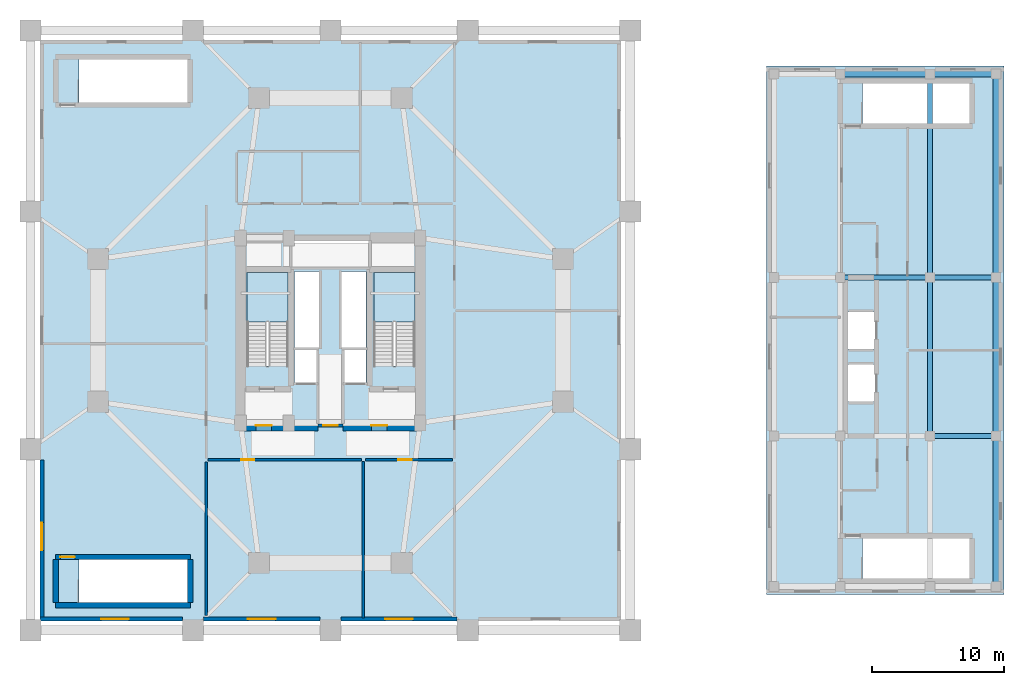
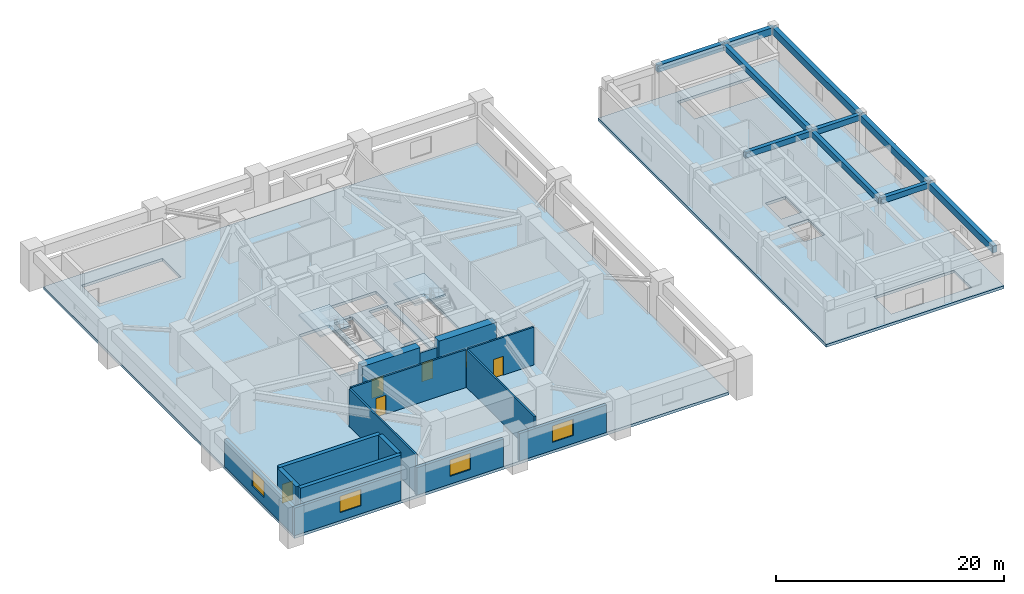
# One storey, part 2 of 8: 15 walls, 10 beams, 6 doors, 4 slabs, 4 windows, 10 openings, 2 elements without a shape of their own.
"""IFC4 building model written with IfcOpenShell, lengths in metres."""

import ifcopenshell
import ifcopenshell.guid

model = None  # the IFC model being written
_history = None  # IfcOwnerHistory: only IFC2X3 demands one
_inside = {}  # id of a spatial element -> (the spatial element, [elements in it])
_under = {}  # id of a project, library or spatial element -> (it, [spatial elements below it])
_declared = {}  # id of a project -> (the project, [libraries it declares])
_typed = {}  # id of a type object -> (the type object, [elements of that type])
_made_of = {}  # id of a material, layer set ... -> (it, [elements and type objects made of it])


def new_model(schema):
    """Start an empty IFC model of exactly this schema.

    Asked for "IFC4X3", IfcOpenShell would pick the latest addendum, in which some entities
    have other attributes; the version numbers below select the first issue.
    IFC2X3 requires an IfcOwnerHistory on every rooted entity: one is made here for all.
    """
    global model, _history
    if schema == "IFC4X3":
        model = ifcopenshell.file(schema_version=(4, 3, 0, 0))
    else:
        model = ifcopenshell.file(schema=schema)
    _inside.clear()
    _under.clear()
    _declared.clear()
    _typed.clear()
    _made_of.clear()
    _history = None
    if model.schema == "IFC2X3":
        org = make("IfcOrganization", Name="unknown")
        user = make(
            "IfcPersonAndOrganization",
            ThePerson=make("IfcPerson", FamilyName="unknown"),
            TheOrganization=org,
        )
        app = make(
            "IfcApplication",
            ApplicationDeveloper=org,
            Version="unknown",
            ApplicationFullName="unknown",
            ApplicationIdentifier="unknown",
        )
        _history = make(
            "IfcOwnerHistory",
            OwningUser=user,
            OwningApplication=app,
            ChangeAction="ADDED",
            CreationDate=0,
        )
    return model


def make(cls, **values):
    """One entity of the class cls with the attributes given. An attribute that is None is left unset."""
    return model.create_entity(
        cls, **{name: value for name, value in values.items() if value is not None}
    )


def rooted(cls, **values):
    """An entity with a GlobalId (a new one), such as an element, a storey or a relation."""
    return make(cls, GlobalId=ifcopenshell.guid.new(), OwnerHistory=_history, **values)


def si_unit(unit_type, name, prefix=None):
    """IfcSIUnit, for example si_unit("LENGTHUNIT", "METRE", prefix="MILLI")."""
    return make("IfcSIUnit", UnitType=unit_type, Prefix=prefix, Name=name)


def assignment(units):
    """IfcUnitAssignment: the units of a project."""
    return None if units is None else make("IfcUnitAssignment", Units=units)


def point(xyz):
    """IfcCartesianPoint."""
    return None if xyz is None else make("IfcCartesianPoint", Coordinates=xyz)


def direction(xyz):
    """IfcDirection."""
    return None if xyz is None else make("IfcDirection", DirectionRatios=xyz)


def frame(location, z_axis=None, x_axis=None):
    """IfcAxis2Placement3D, a coordinate frame: its origin and axes. An axis left out is left unset."""
    return make(
        "IfcAxis2Placement3D",
        Location=point(location),
        Axis=direction(z_axis),
        RefDirection=direction(x_axis),
    )


def frame_2d(location, x_axis=None):
    """IfcAxis2Placement2D, a coordinate frame in the plane: its origin and x axis."""
    return make(
        "IfcAxis2Placement2D", Location=point(location), RefDirection=direction(x_axis)
    )


def origin():
    """The frame at (0, 0, 0) with its axes left unset."""
    return frame((0.0, 0.0, 0.0))


def origin_2d():
    """The frame at (0, 0) in the plane with its x axis left unset."""
    return frame_2d((0.0, 0.0))


def place(relative_to, where):
    """IfcLocalPlacement: puts the frame where relative to a parent placement (None: the world)."""
    return make(
        "IfcLocalPlacement", PlacementRelTo=relative_to, RelativePlacement=where
    )


def context(
    kind, dimensions, precision=None, world=None, true_north=None, identifier=None
):
    """IfcGeometricRepresentationContext, for example the 3D "Model" context."""
    return make(
        "IfcGeometricRepresentationContext",
        ContextIdentifier=identifier,
        ContextType=kind,
        CoordinateSpaceDimension=dimensions,
        Precision=precision,
        WorldCoordinateSystem=world,
        TrueNorth=true_north,
    )


def subcontext(parent, identifier, kind, view, scale=None):
    """IfcGeometricRepresentationSubContext, for example "Body" below "Model"."""
    return make(
        "IfcGeometricRepresentationSubContext",
        ContextIdentifier=identifier,
        ContextType=kind,
        ParentContext=parent,
        TargetScale=scale,
        TargetView=view,
    )


def project(units=None, contexts=None):
    """IfcProject with its units and contexts."""
    return rooted(
        "IfcProject",
        Name="project",
        RepresentationContexts=contexts,
        UnitsInContext=assignment(units),
    )


def spatial(cls, under=None, at=None, **own):
    """A site, building, storey or space (cls), placed at a placement, below another one or the project."""
    s = rooted(cls, ObjectPlacement=at, **own)
    if under is not None:
        _under.setdefault(under.id(), (under, []))[1].append(s)
    return s


def polyline(points):
    """IfcPolyline through the points."""
    return make("IfcPolyline", Points=[point(p) for p in points])


def profile(cls, at=None, kind="AREA", **sizes):
    """A parametric profile (cls). Its sizes go by their IFC names, for example OverallWidth=200.0."""
    return make(cls, ProfileType=kind, Position=at, **sizes)


def rectangle(**sizes):
    """IfcRectangleProfileDef."""
    return profile("IfcRectangleProfileDef", **sizes)


def outline(outer, holes=None, kind="AREA"):
    """IfcArbitraryClosedProfileDef: a profile drawn as a closed curve; with holes, ...WithVoids."""
    if holes is None:
        return make("IfcArbitraryClosedProfileDef", ProfileType=kind, OuterCurve=outer)
    return make(
        "IfcArbitraryProfileDefWithVoids",
        ProfileType=kind,
        OuterCurve=outer,
        InnerCurves=holes,
    )


def extrude(swept, where, along, depth):
    """IfcExtrudedAreaSolid: the profile swept, set in the frame where, extruded along a direction by depth."""
    return make(
        "IfcExtrudedAreaSolid",
        SweptArea=swept,
        Position=where,
        ExtrudedDirection=direction(along),
        Depth=depth,
    )


def shape(context_of_items, identifier, shape_type, items):
    """IfcShapeRepresentation: the items that make up one representation, for example the "Body"."""
    return make(
        "IfcShapeRepresentation",
        ContextOfItems=context_of_items,
        RepresentationIdentifier=identifier,
        RepresentationType=shape_type,
        Items=items,
    )


def source(mapping_origin, context_of_items, identifier, shape_type, items):
    """IfcRepresentationMap: a shape defined once, which mapped items show again and again."""
    return make(
        "IfcRepresentationMap",
        MappingOrigin=mapping_origin,
        MappedRepresentation=shape(context_of_items, identifier, shape_type, items),
    )


def transform(
    local_origin,
    x_axis=None,
    y_axis=None,
    z_axis=None,
    scale=None,
    scale2=None,
    scale3=None,
    uniform=True,
):
    """IfcCartesianTransformationOperator3D, or its non-uniform kind. x_axis, y_axis, z_axis: its Axis1, 2, 3."""
    if uniform:
        return make(
            "IfcCartesianTransformationOperator3D",
            Axis1=direction(x_axis),
            Axis2=direction(y_axis),
            LocalOrigin=point(local_origin),
            Scale=scale,
            Axis3=direction(z_axis),
        )
    return make(
        "IfcCartesianTransformationOperator3DnonUniform",
        Axis1=direction(x_axis),
        Axis2=direction(y_axis),
        LocalOrigin=point(local_origin),
        Scale=scale,
        Axis3=direction(z_axis),
        Scale2=scale2,
        Scale3=scale3,
    )


def mapped(mapping_source, mapping_target):
    """IfcMappedItem: shows the shape of a source again, moved by a transform."""
    return make(
        "IfcMappedItem", MappingSource=mapping_source, MappingTarget=mapping_target
    )


def material(Name=None, Category=None):
    """IfcMaterial."""
    return make("IfcMaterial", Name=Name, Category=Category)


def layer(
    of_material, thickness, ventilated=None, Name=None, Category=None, Priority=None
):
    """IfcMaterialLayer: one layer of a wall or slab, of a material (None: an air gap)."""
    return make(
        "IfcMaterialLayer",
        Material=of_material,
        LayerThickness=thickness,
        IsVentilated=ventilated,
        Name=Name,
        Category=Category,
        Priority=Priority,
    )


def layer_set(layers, Name=None):
    """IfcMaterialLayerSet."""
    return make("IfcMaterialLayerSet", MaterialLayers=layers, LayerSetName=Name)


def material_profile(
    of_material, cross_section, Name=None, Category=None, Priority=None
):
    """IfcMaterialProfile: a cross section and its material."""
    return make(
        "IfcMaterialProfile",
        Name=Name,
        Material=of_material,
        Profile=cross_section,
        Priority=Priority,
        Category=Category,
    )


def profile_set(profiles, Name=None, composite=None):
    """IfcMaterialProfileSet."""
    return make(
        "IfcMaterialProfileSet",
        Name=Name,
        MaterialProfiles=profiles,
        CompositeProfile=composite,
    )


def made_of(thing, what):
    """Note that an element or type object is made of a material, layer set ...; save() writes the relation."""
    if what is not None:
        _made_of.setdefault(what.id(), (what, []))[1].append(thing)
    return thing


def type_object(cls, material=None, **own):
    """A type object (cls), such as IfcWallType, which elements share."""
    return made_of(rooted(cls, **own), material)


def element(
    cls,
    number,
    at=None,
    inside=None,
    cuts=None,
    type_object=None,
    material=None,
    context=None,
    identifier="Body",
    shape_type=None,
    held_by="IfcProductDefinitionShape",
    body=None,
    shapes=None,
    **own,
):
    """One element of the class cls, such as IfcWall. Its Tag is "e" and its number.

    at: its placement. inside: the storey or other place that contains it. cuts: it is an
    opening in that element (IfcRelVoidsElement). A single representation is given by context,
    identifier, shape_type and body (its items); several are given by shapes. held_by: the class
    of the entity that holds the representations. save() writes the other relations.
    """
    e = rooted(cls, Tag="e%d" % number, ObjectPlacement=at, **own)
    if body is not None:
        shapes = [shape(context, identifier, shape_type, body)]
    if shapes is not None:
        e.Representation = make(held_by, Representations=shapes)
    if inside is not None:
        _inside.setdefault(inside.id(), (inside, []))[1].append(e)
    if cuts is not None:
        rooted(
            "IfcRelVoidsElement", RelatingBuildingElement=cuts, RelatedOpeningElement=e
        )
    if type_object is not None:
        _typed.setdefault(type_object.id(), (type_object, []))[1].append(e)
    return made_of(e, material)


def fill(opening, filler):
    """IfcRelFillsElement: the door or window that sits in an opening."""
    return rooted(
        "IfcRelFillsElement",
        RelatingOpeningElement=opening,
        RelatedBuildingElement=filler,
    )


def aggregate(whole, parts):
    """IfcRelAggregates: a whole, such as a stair, and the parts it consists of."""
    return rooted("IfcRelAggregates", RelatingObject=whole, RelatedObjects=parts)


def save(model, path):
    """Write the relations noted so far, then the file.

    IfcRelAggregates (storeys below a building ...), IfcRelContainedInSpatialStructure (elements
    in a storey), IfcRelDefinesByType, IfcRelAssociatesMaterial and IfcRelDeclares: one each for
    every whole, place, type object, material and project.
    """
    for whole, parts in _under.values():
        aggregate(whole, parts)
    for where, things in _inside.values():
        rooted(
            "IfcRelContainedInSpatialStructure",
            RelatedElements=things,
            RelatingStructure=where,
        )
    for kind, things in _typed.values():
        rooted("IfcRelDefinesByType", RelatedObjects=things, RelatingType=kind)
    for what, things in _made_of.values():
        rooted("IfcRelAssociatesMaterial", RelatedObjects=things, RelatingMaterial=what)
    for by, libraries in _declared.values():
        rooted("IfcRelDeclares", RelatingContext=by, RelatedDefinitions=libraries)
    model.write(path)


model = new_model("IFC4")

# Units and contexts
model_context = context("Model", 3, precision=1e-05, world=origin(), true_north=direction((0.0, 1.0)))
body_context = subcontext(model_context, "Body", "Model", "MODEL_VIEW")
ifc_project = project(units=[si_unit("LENGTHUNIT", "METRE"), si_unit("AREAUNIT", "SQUARE_METRE"), si_unit("VOLUMEUNIT", "CUBIC_METRE"), si_unit("PLANEANGLEUNIT", "RADIAN"), si_unit("MASSUNIT", "GRAM", prefix="KILO")], contexts=[model_context])

# Site, building, storey
site_placement = place(None, origin())
site = spatial("IfcSite", under=ifc_project, at=site_placement, CompositionType="ELEMENT")
building_placement = place(site_placement, origin())
building = spatial("IfcBuilding", under=site, at=building_placement, Name="Veraguas Prism Commons", CompositionType="ELEMENT")
storey_placement = place(building_placement, frame((0.0, 0.0, 18.39990234375)))
storey = spatial("IfcBuildingStorey", under=building, at=storey_placement, Name="L04", CompositionType="ELEMENT", Elevation=18.39990234375)

# Beams
ifc_material_1 = material(Name="Concrete C50/60", Category="concrete")
ifc_material_profile_1 = material_profile(ifc_material_1, rectangle(XDim=0.39990234375, YDim=0.60009765625, at=origin_2d()), Name="RC400X600")
ifc_profile_set_1 = profile_set([ifc_material_profile_1], Name="Concrete C50/60")
beam_type_1 = type_object("IfcBeamType", Name="Clinic Secondary Beam RC 400x600", PredefinedType="BEAM", material=ifc_profile_set_1)
beam_1_placement = place(storey_placement, frame((69.39990234375, 16.0, 3.840087890625), z_axis=(1.0, 0.0, 0.0), x_axis=(0.0, 1.0, 0.0)))
element("IfcBeam", 1, at=beam_1_placement, inside=storey, type_object=beam_type_1, Name="Health Centre Beam L04-HCX06", PredefinedType="BEAM", context=body_context, shape_type="SweptSolid", body=[
    extrude(rectangle(XDim=0.39990234375, YDim=0.60009765625, at=origin_2d()), origin(), (0.0, 0.0, 1.0), 5.0),
])
beam_2_placement = place(storey_placement, frame((62.60009765625, 28.0, 3.840087890625), z_axis=(1.0, 0.0, 0.0), x_axis=(0.0, 1.0, 0.0)))
element("IfcBeam", 2, at=beam_2_placement, inside=storey, type_object=beam_type_1, Name="Health Centre Beam L04-HCX08", PredefinedType="BEAM", context=body_context, shape_type="SweptSolid", body=[
    extrude(rectangle(XDim=0.39990234375, YDim=0.60009765625, at=origin_2d()), origin(), (0.0, 0.0, 1.0), 6.7998046875),
])
beam_3_placement = place(storey_placement, frame((69.39990234375, 28.0, 3.840087890625), z_axis=(1.0, 0.0, 0.0), x_axis=(0.0, 1.0, 0.0)))
element("IfcBeam", 3, at=beam_3_placement, inside=storey, type_object=beam_type_1, Name="Health Centre Beam L04-HCX09", PredefinedType="BEAM", context=body_context, shape_type="SweptSolid", body=[
    extrude(rectangle(XDim=0.39990234375, YDim=0.60009765625, at=origin_2d()), origin(), (0.0, 0.0, 1.0), 5.0),
])
beam_4_placement = place(storey_placement, frame((69.39990234375, 16.0, 3.840087890625), z_axis=(0.0, 1.0, 0.0), x_axis=(-1.0, 0.0, 0.0)))
element("IfcBeam", 4, at=beam_4_placement, inside=storey, type_object=beam_type_1, Name="Health Centre Beam L04-HCY20", PredefinedType="BEAM", context=body_context, shape_type="SweptSolid", body=[
    extrude(rectangle(XDim=0.39990234375, YDim=0.60009765625, at=origin_2d()), origin(), (0.0, 0.0, 1.0), 12.0),
])
beam_5_placement = place(storey_placement, frame((69.39990234375, 28.0, 3.840087890625), z_axis=(0.0, 1.0, 0.0), x_axis=(-1.0, 0.0, 0.0)))
element("IfcBeam", 5, at=beam_5_placement, inside=storey, type_object=beam_type_1, Name="Health Centre Beam L04-HCY21", PredefinedType="BEAM", context=body_context, shape_type="SweptSolid", body=[
    extrude(rectangle(XDim=0.39990234375, YDim=0.60009765625, at=origin_2d()), origin(), (0.0, 0.0, 1.0), 15.39990234375),
])
ifc_material_profile_2 = material_profile(ifc_material_1, rectangle(XDim=0.449951171875, YDim=0.75, at=origin_2d()), Name="RC450X750")
ifc_profile_set_2 = profile_set([ifc_material_profile_2], Name="Concrete C50/60")
beam_type_2 = type_object("IfcBeamType", Name="Perimeter Spandrel Upper RC 450x750", PredefinedType="SPANDREL", material=ifc_profile_set_2)
beam_6_placement = place(storey_placement, frame((62.60009765625, 43.39990234375, 3.76513671875), z_axis=(1.0, 0.0, 0.0), x_axis=(0.0, 1.0, 0.0)))
element("IfcBeam", 6, at=beam_6_placement, inside=storey, type_object=beam_type_2, Name="Health Centre Beam L04-HCX11", PredefinedType="SPANDREL", context=body_context, shape_type="SweptSolid", body=[
    extrude(rectangle(XDim=0.449951171875, YDim=0.75, at=origin_2d()), origin(), (0.0, 0.0, 1.0), 6.7998046875),
])
beam_7_placement = place(storey_placement, frame((69.39990234375, 43.39990234375, 3.76513671875), z_axis=(1.0, 0.0, 0.0), x_axis=(0.0, 1.0, 0.0)))
element("IfcBeam", 7, at=beam_7_placement, inside=storey, type_object=beam_type_2, Name="Health Centre Beam L04-HCX12", PredefinedType="SPANDREL", context=body_context, shape_type="SweptSolid", body=[
    extrude(rectangle(XDim=0.449951171875, YDim=0.75, at=origin_2d()), origin(), (0.0, 0.0, 1.0), 5.0),
])
beam_8_placement = place(storey_placement, frame((74.39990234375, 4.60009765625, 3.76513671875), z_axis=(0.0, 1.0, 0.0), x_axis=(-1.0, 0.0, 0.0)))
element("IfcBeam", 8, at=beam_8_placement, inside=storey, type_object=beam_type_2, Name="Health Centre Beam L04-HCY22", PredefinedType="SPANDREL", context=body_context, shape_type="SweptSolid", body=[
    extrude(rectangle(XDim=0.449951171875, YDim=0.75, at=origin_2d()), origin(), (0.0, 0.0, 1.0), 11.39990234375),
])
beam_9_placement = place(storey_placement, frame((74.39990234375, 16.0, 3.76513671875), z_axis=(0.0, 1.0, 0.0), x_axis=(-1.0, 0.0, 0.0)))
element("IfcBeam", 9, at=beam_9_placement, inside=storey, type_object=beam_type_2, Name="Health Centre Beam L04-HCY23", PredefinedType="SPANDREL", context=body_context, shape_type="SweptSolid", body=[
    extrude(rectangle(XDim=0.449951171875, YDim=0.75, at=origin_2d()), origin(), (0.0, 0.0, 1.0), 12.0),
])
beam_10_placement = place(storey_placement, frame((74.39990234375, 28.0, 3.76513671875), z_axis=(0.0, 1.0, 0.0), x_axis=(-1.0, 0.0, 0.0)))
element("IfcBeam", 10, at=beam_10_placement, inside=storey, type_object=beam_type_2, Name="Health Centre Beam L04-HCY24", PredefinedType="SPANDREL", context=body_context, shape_type="SweptSolid", body=[
    extrude(rectangle(XDim=0.449951171875, YDim=0.75, at=origin_2d()), origin(), (0.0, 0.0, 1.0), 15.39990234375),
])

# Slabs
ifc_material_2 = material(Name="Concrete C45/55", Category="concrete")
ifc_layer_1 = layer(ifc_material_2, 0.300048828125, Name="Podium Concourse and Clinic Slab RC 300", Category="concrete")
ifc_layer_set_1 = layer_set([ifc_layer_1], Name="Concrete C45/55")
slab_type_1 = type_object("IfcSlabType", Name="Podium Concourse and Clinic Slab RC 300", PredefinedType="FLOOR", material=ifc_layer_set_1)
slab_1_placement = place(storey_placement, frame((0.0, 0.0, -0.2998046875)))
element("IfcSlab", 11, at=slab_1_placement, inside=storey, type_object=slab_type_1, Name="Podium and Station Slab L04", PredefinedType="FLOOR", context=body_context, shape_type="SweptSolid", body=[
    extrude(outline(polyline([(2.0, 2.0), (46.0, 2.0), (46.0, 46.0), (2.0, 46.0), (2.0, 2.0)]), holes=[polyline([(20.800048828125, 21.31005859375), (20.800048828125, 28.39990234375), (17.68994140625, 28.39990234375), (17.68994140625, 21.31005859375), (20.800048828125, 21.31005859375)]), polyline([(30.39990234375, 21.31005859375), (30.39990234375, 28.39990234375), (27.2900390625, 28.39990234375), (27.2900390625, 21.31005859375), (30.39990234375, 21.31005859375)]), polyline([(4.97998046875, 3.39990234375), (13.199951171875, 3.39990234375), (13.199951171875, 6.64990234375), (4.97998046875, 6.64990234375), (4.97998046875, 3.39990234375)]), polyline([(4.97998046875, 41.260009765625), (13.199951171875, 41.260009765625), (13.199951171875, 44.510009765625), (4.97998046875, 44.510009765625), (4.97998046875, 41.260009765625)]), polyline([(21.300048828125, 22.64990234375), (23.14990234375, 22.64990234375), (23.14990234375, 28.449951171875), (21.300048828125, 28.449951171875), (21.300048828125, 22.64990234375)]), polyline([(24.85009765625, 22.64990234375), (26.699951171875, 22.64990234375), (26.699951171875, 28.449951171875), (24.85009765625, 28.449951171875), (24.85009765625, 22.64990234375)]), polyline([(21.10009765625, 28.800048828125), (26.89990234375, 28.800048828125), (26.89990234375, 30.800048828125), (21.10009765625, 30.800048828125), (21.10009765625, 28.800048828125)]), polyline([(21.300048828125, 20.050048828125), (23.050048828125, 20.050048828125), (23.050048828125, 22.550048828125), (21.300048828125, 22.550048828125), (21.300048828125, 20.050048828125)]), polyline([(24.949951171875, 20.050048828125), (26.699951171875, 20.050048828125), (26.699951171875, 22.550048828125), (24.949951171875, 22.550048828125), (24.949951171875, 20.050048828125)])]), origin(), (0.0, 0.0, 1.0), 0.2998046875),
])
slab_2_placement = place(storey_placement, frame((0.0, 0.0, -0.2998046875)))
element("IfcSlab", 12, at=slab_2_placement, inside=storey, type_object=slab_type_1, Name="Health Centre Floor Slab L04", PredefinedType="FLOOR", context=body_context, shape_type="SweptSolid", body=[
    extrude(outline(polyline([(57.0, 4.0), (75.0, 4.0), (75.0, 44.0), (57.0, 44.0), (57.0, 4.0)]), holes=[polyline([(64.280029296875, 5.199951171875), (72.39990234375, 5.199951171875), (72.39990234375, 8.25), (64.280029296875, 8.25), (64.280029296875, 5.199951171875)]), polyline([(64.280029296875, 39.659912109375), (72.39990234375, 39.659912109375), (72.39990234375, 42.7099609375), (64.280029296875, 42.7099609375), (64.280029296875, 39.659912109375)]), polyline([(63.199951171875, 18.60009765625), (65.25, 18.60009765625), (65.25, 21.39990234375), (63.199951171875, 21.39990234375), (63.199951171875, 18.60009765625)]), polyline([(63.199951171875, 22.60009765625), (65.25, 22.60009765625), (65.25, 25.39990234375), (63.199951171875, 25.39990234375), (63.199951171875, 22.60009765625)])]), origin(), (0.0, 0.0, 1.0), 0.2998046875),
])

# Stair, slab
ifc_material_3 = material(Name="Precast concrete C45/55", Category="concrete")
stair_type = type_object("IfcStairType", Name="Dogleg Core Stair 1480W 26R 03", PredefinedType="HALF_TURN_STAIR", material=ifc_material_3)
stair_1_placement = place(storey_placement, origin())
stair_1 = element("IfcStair", 13, at=stair_1_placement, inside=storey, type_object=stair_type, Name="Protected Exit Stair ST-01 L04", PredefinedType="HALF_TURN_STAIR")
ifc_layer_2 = layer(ifc_material_3, 0.199951171875, Name="Precast Stair and Ramp Landing Slab 200", Category="concrete")
ifc_layer_set_2 = layer_set([ifc_layer_2], Name="Precast concrete C45/55")
slab_type_2 = type_object("IfcSlabType", Name="Precast Stair and Ramp Landing Slab 200", PredefinedType="LANDING", material=ifc_layer_set_2)
slab_3_placement = place(storey_placement, frame((0.0, 0.0, 2.0)))
slab_3 = element("IfcSlab", 14, at=slab_3_placement, type_object=slab_type_2, Name="ST-03 Landing 1", PredefinedType="LANDING", context=body_context, shape_type="SweptSolid", body=[
    extrude(outline(polyline([(20.800048828125, 24.639892578125), (20.800048828125, 28.39990234375), (17.68994140625, 28.39990234375), (17.68994140625, 24.639892578125), (20.800048828125, 24.639892578125)])), origin(), (0.0, 0.0, 1.0), 0.2001953125),
])
aggregate(stair_1, [slab_3])

stair_2_placement = place(storey_placement, origin())
stair_2 = element("IfcStair", 15, at=stair_2_placement, inside=storey, type_object=stair_type, Name="Protected Exit Stair ST-02 L04", PredefinedType="HALF_TURN_STAIR")
slab_4_placement = place(storey_placement, frame((0.0, 0.0, 2.0)))
slab_4 = element("IfcSlab", 16, at=slab_4_placement, type_object=slab_type_2, Name="ST-03 Landing 1", PredefinedType="LANDING", context=body_context, shape_type="SweptSolid", body=[
    extrude(outline(polyline([(30.39990234375, 24.639892578125), (30.39990234375, 28.39990234375), (27.2900390625, 28.39990234375), (27.2900390625, 24.639892578125), (30.39990234375, 24.639892578125)])), origin(), (0.0, 0.0, 1.0), 0.2001953125),
])
aggregate(stair_2, [slab_4])

# Wall
ifc_layer_3 = layer(ifc_material_1, 0.39990234375, Name="Clinic and Mid Core Shear Wall RC 400", Category="concrete")
ifc_layer_set_3 = layer_set([ifc_layer_3], Name="Concrete C50/60")
wall_type_1 = type_object("IfcWallType", Name="Clinic and Mid Core Shear Wall RC 400", PredefinedType="SHEAR", material=ifc_layer_set_3)
wall_1_placement = place(storey_placement, frame((3.199951171875, 3.199951171875, 0.0), z_axis=(0.0, 0.0, 1.0), x_axis=(1.0, 0.0, 0.0)))
element("IfcWall", 17, at=wall_1_placement, inside=storey, type_object=wall_type_1, Name="ST-M1 South Shear Wall L04", PredefinedType="SHEAR", context=body_context, shape_type="SweptSolid", body=[
    extrude(rectangle(XDim=10.199951171875, YDim=0.39990234375, at=frame_2d((5.10009765625, 0.0))), origin(), (0.0, 0.0, 1.0), 4.050048828125),
])

# Wall, opening, door
wall_2_placement = place(storey_placement, frame((3.199951171875, 6.85009765625, 0.0), z_axis=(0.0, 0.0, 1.0), x_axis=(1.0, 0.0, 0.0)))
wall_2 = element("IfcWall", 18, at=wall_2_placement, inside=storey, type_object=wall_type_1, Name="ST-M1 North Shear Wall L04", PredefinedType="SHEAR", context=body_context, shape_type="SweptSolid", body=[
    extrude(rectangle(XDim=10.199951171875, YDim=0.39990234375, at=frame_2d((5.10009765625, 0.0))), origin(), (0.0, 0.0, 1.0), 4.050048828125),
])
opening_1_placement = place(wall_2_placement, frame((0.35009765625, 0.0, 0.0)))
opening_1 = element("IfcOpeningElement", 19, at=opening_1_placement, cuts=wall_2, Name="Opening DR-05", PredefinedType="OPENING", context=body_context, shape_type="SweptSolid", body=[
    extrude(rectangle(XDim=1.10009765625, YDim=2.030029296875, at=frame_2d((0.550048828125, 1.01513671875))), frame((0.0, 0.2099609375, 0.0), z_axis=(0.0, -1.0, 0.0), x_axis=(1.0, 0.0, 0.0)), (0.0, 0.0, 1.0), 0.419921875),
])
ifc_material_4 = material(Name="Steel fire-rated door assembly", Category="steel")
door_type_1 = type_object("IfcDoorType", Name="Protected Stair and Refuge Fire Door 1100x2030", OperationType="NOTDEFINED", PredefinedType="DOOR", material=ifc_material_4)
shared_shape_1 = source(origin(), body_context, "Body", "SweptSolid", [
    extrude(rectangle(XDim=1.10009765625, YDim=2.030029296875, at=frame_2d((0.550048828125, 1.01513671875))), frame((0.0, 0.02490234375, 0.0), z_axis=(0.0, -1.0, 0.0), x_axis=(1.0, 0.0, 0.0)), (0.0, 0.0, 1.0), 0.050048828125),
])
door_1_placement = place(opening_1_placement, origin())
door_1 = element("IfcDoor", 20, at=door_1_placement, inside=storey, type_object=door_type_1, Name="Metro Stair ST-M1 Door L04", OperationType="SINGLE_SWING_LEFT", OverallHeight=2.030029296875, OverallWidth=1.10009765625, PredefinedType="DOOR", context=body_context, shape_type="MappedRepresentation", body=[
    mapped(shared_shape_1, transform((0.0, 0.0, 0.0), scale=1.0)),
])
fill(opening_1, door_1)

# Walls
for number, where, z_axis, x_axis, name in (
    (21, (3.199951171875, 3.39990234375, 0.0), (0.0, 0.0, 1.0), (0.0, 1.0, 0.0), "ST-M1 West Shear Wall L04"),
    (22, (13.39990234375, 3.39990234375, 0.0), (0.0, 0.0, 1.0), (0.0, 1.0, 0.0), "ST-M1 East Shear Wall L04"),
):
    element("IfcWall", number, at=place(storey_placement, frame(where, z_axis=z_axis, x_axis=x_axis)), inside=storey, type_object=wall_type_1, Name=name, PredefinedType="SHEAR", context=body_context, shape_type="SweptSolid", body=[
        extrude(rectangle(XDim=3.25, YDim=0.39990234375, at=frame_2d((1.625, 0.0))), origin(), (0.0, 0.0, 1.0), 4.050048828125),
    ])

# Wall, opening, door
ifc_material_5 = material(Name="Concrete C60/75", Category="concrete")
ifc_layer_4 = layer(ifc_material_5, 0.800048828125, Name="Core Outer Shear Wall Lower RC 800", Category="concrete")
ifc_layer_set_4 = layer_set([ifc_layer_4], Name="Concrete C60/75")
wall_type_2 = type_object("IfcWallType", Name="Core Outer Shear Wall Lower RC 800", PredefinedType="SHEAR", material=ifc_layer_set_4)
wall_3_placement = place(storey_placement, frame((17.199951171875, 16.800048828125, 0.0), z_axis=(0.0, 0.0, 1.0), x_axis=(1.0, 0.0, 0.0)))
wall_3 = element("IfcWall", 23, at=wall_3_placement, inside=storey, type_object=wall_type_2, Name="Central Core South-West Shear Wall L04", PredefinedType="SHEAR", context=body_context, shape_type="SweptSolid", body=[
    extrude(rectangle(XDim=5.85009765625, YDim=0.800048828125, at=frame_2d((2.925048828125, 0.0))), origin(), (0.0, 0.0, 1.0), 4.050048828125),
])
opening_2_placement = place(wall_3_placement, frame((1.14990234375, 0.0, 0.0)))
opening_2 = element("IfcOpeningElement", 24, at=opening_2_placement, cuts=wall_3, Name="Opening DR-06", PredefinedType="OPENING", context=body_context, shape_type="SweptSolid", body=[
    extrude(rectangle(XDim=1.199951171875, YDim=2.030029296875, at=frame_2d((0.60009765625, 1.01513671875))), frame((0.0, 0.409912109375, 0.0), z_axis=(0.0, -1.0, 0.0), x_axis=(1.0, 0.0, 0.0)), (0.0, 0.0, 1.0), 0.820068359375),
])
door_type_2 = type_object("IfcDoorType", Name="Firefighting Lobby Smoke Door 1200x2030", OperationType="NOTDEFINED", PredefinedType="DOOR", material=ifc_material_4)
shared_shape_2 = source(origin(), body_context, "Body", "SweptSolid", [
    extrude(rectangle(XDim=1.199951171875, YDim=2.030029296875, at=frame_2d((0.60009765625, 1.01513671875))), frame((0.0, 0.02490234375, 0.0), z_axis=(0.0, -1.0, 0.0), x_axis=(1.0, 0.0, 0.0)), (0.0, 0.0, 1.0), 0.050048828125),
])
door_2_placement = place(opening_2_placement, origin())
door_2 = element("IfcDoor", 25, at=door_2_placement, inside=storey, type_object=door_type_2, Name="West FF Lobby Door L04", OperationType="SINGLE_SWING_RIGHT", OverallHeight=2.030029296875, OverallWidth=1.199951171875, PredefinedType="DOOR", context=body_context, shape_type="MappedRepresentation", body=[
    mapped(shared_shape_2, transform((0.0, 0.0, 0.0), scale=1.0)),
])
fill(opening_2, door_2)

wall_4_placement = place(storey_placement, frame((24.949951171875, 16.800048828125, 0.0), z_axis=(0.0, 0.0, 1.0), x_axis=(1.0, 0.0, 0.0)))
wall_4 = element("IfcWall", 26, at=wall_4_placement, inside=storey, type_object=wall_type_2, Name="Central Core South-East Shear Wall L04", PredefinedType="SHEAR", context=body_context, shape_type="SweptSolid", body=[
    extrude(rectangle(XDim=5.85009765625, YDim=0.800048828125, at=frame_2d((2.925048828125, 0.0))), origin(), (0.0, 0.0, 1.0), 4.050048828125),
])
opening_3_placement = place(wall_4_placement, frame((2.14990234375, 0.0, 0.0)))
opening_3 = element("IfcOpeningElement", 27, at=opening_3_placement, cuts=wall_4, Name="Opening DR-06", PredefinedType="OPENING", context=body_context, shape_type="SweptSolid", body=[
    extrude(rectangle(XDim=1.199951171875, YDim=2.030029296875, at=frame_2d((0.60009765625, 1.01513671875))), frame((0.0, 0.409912109375, 0.0), z_axis=(0.0, -1.0, 0.0), x_axis=(1.0, 0.0, 0.0)), (0.0, 0.0, 1.0), 0.820068359375),
])
door_3_placement = place(opening_3_placement, origin())
door_3 = element("IfcDoor", 28, at=door_3_placement, inside=storey, type_object=door_type_2, Name="East FF Lobby Door L04", OperationType="SINGLE_SWING_RIGHT", OverallHeight=2.030029296875, OverallWidth=1.199951171875, PredefinedType="DOOR", context=body_context, shape_type="MappedRepresentation", body=[
    mapped(shared_shape_2, transform((0.0, 0.0, 0.0), scale=1.0)),
])
fill(opening_3, door_3)

# Wall
ifc_material_6 = material(Name="Autoclaved aerated masonry block 10 MPa", Category="masonry")
ifc_layer_5 = layer(ifc_material_6, 0.179931640625, Name="Corridor and Inter-Tenancy Partition 180", Category="masonry")
ifc_layer_set_5 = layer_set([ifc_layer_5], Name="Autoclaved aerated masonry block 10 MPa")
wall_type_3 = type_object("IfcWallType", Name="Corridor and Inter-Tenancy Partition 180", PredefinedType="PARTITIONING", material=ifc_layer_set_5)
wall_5_placement = place(storey_placement, frame((14.60009765625, 2.39990234375, 0.0), z_axis=(0.0, 0.0, 1.0), x_axis=(0.0, 1.0, 0.0)))
element("IfcWall", 29, at=wall_5_placement, inside=storey, type_object=wall_type_3, Name="WL-L04-PDPT03S", PredefinedType="PARTITIONING", context=body_context, shape_type="SweptSolid", body=[
    extrude(rectangle(XDim=11.650146484375, YDim=0.179931640625, at=frame_2d((5.8251953125, 0.0))), origin(), (0.0, 0.0, 1.0), 4.050048828125),
])

# Wall, opening, door
wall_6_placement = place(storey_placement, frame((14.75, 14.199951171875, 0.0), z_axis=(0.0, 0.0, 1.0), x_axis=(1.0, 0.0, 0.0)))
wall_6 = element("IfcWall", 30, at=wall_6_placement, inside=storey, type_object=wall_type_3, Name="WL-L04-PDPT04", PredefinedType="PARTITIONING", context=body_context, shape_type="SweptSolid", body=[
    extrude(rectangle(XDim=11.60009765625, YDim=0.179931640625, at=frame_2d((5.800048828125, 0.0))), origin(), (0.0, 0.0, 1.0), 4.050048828125),
])
opening_4_placement = place(wall_6_placement, frame((2.5, 0.0, 0.0)))
opening_4 = element("IfcOpeningElement", 31, at=opening_4_placement, cuts=wall_6, Name="Opening DR-13", PredefinedType="OPENING", context=body_context, shape_type="SweptSolid", body=[
    extrude(rectangle(XDim=1.0, YDim=2.010009765625, at=frame_2d((0.5, 1.0048828125))), frame((0.0, 0.099853515625, 0.0), z_axis=(0.0, -1.0, 0.0), x_axis=(1.0, 0.0, 0.0)), (0.0, 0.0, 1.0), 0.199951171875),
])
door_type_3 = type_object("IfcDoorType", Name="Core Accessible WC and Clinic Fire Door 1000x2010", OperationType="NOTDEFINED", PredefinedType="DOOR", material=ifc_material_4)
shared_shape_3 = source(origin(), body_context, "Body", "SweptSolid", [
    extrude(rectangle(XDim=1.0, YDim=2.010009765625, at=frame_2d((0.5, 1.0048828125))), frame((0.0, 0.02490234375, 0.0), z_axis=(0.0, -1.0, 0.0), x_axis=(1.0, 0.0, 0.0)), (0.0, 0.0, 1.0), 0.050048828125),
])
door_4_placement = place(opening_4_placement, origin())
door_4 = element("IfcDoor", 32, at=door_4_placement, inside=storey, type_object=door_type_3, Name="Housing Co-op Boardroom Door", OperationType="SINGLE_SWING_LEFT", OverallHeight=2.010009765625, OverallWidth=1.0, PredefinedType="DOOR", context=body_context, shape_type="MappedRepresentation", body=[
    mapped(shared_shape_3, transform((0.0, 0.0, 0.0), scale=1.0)),
])
fill(opening_4, door_4)

wall_7_placement = place(storey_placement, frame((26.64990234375, 14.199951171875, 0.0), z_axis=(0.0, 0.0, 1.0), x_axis=(1.0, 0.0, 0.0)))
wall_7 = element("IfcWall", 33, at=wall_7_placement, inside=storey, type_object=wall_type_3, Name="WL-L04-PDPT05", PredefinedType="PARTITIONING", context=body_context, shape_type="SweptSolid", body=[
    extrude(rectangle(XDim=6.60009765625, YDim=0.179931640625, at=frame_2d((3.300048828125, 0.0))), origin(), (0.0, 0.0, 1.0), 4.050048828125),
])
opening_5_placement = place(wall_7_placement, frame((2.5, 0.0, 0.0)))
opening_5 = element("IfcOpeningElement", 34, at=opening_5_placement, cuts=wall_7, Name="Opening DR-13", PredefinedType="OPENING", context=body_context, shape_type="SweptSolid", body=[
    extrude(rectangle(XDim=1.0, YDim=2.010009765625, at=frame_2d((0.5, 1.0048828125))), frame((0.0, 0.099853515625, 0.0), z_axis=(0.0, -1.0, 0.0), x_axis=(1.0, 0.0, 0.0)), (0.0, 0.0, 1.0), 0.199951171875),
])
door_5_placement = place(opening_5_placement, origin())
door_5 = element("IfcDoor", 35, at=door_5_placement, inside=storey, type_object=door_type_3, Name="Estate Maintenance Office Door", OperationType="SINGLE_SWING_RIGHT", OverallHeight=2.010009765625, OverallWidth=1.0, PredefinedType="DOOR", context=body_context, shape_type="MappedRepresentation", body=[
    mapped(shared_shape_3, transform((0.0, 0.0, 0.0), scale=1.0)),
])
fill(opening_5, door_5)

# Wall
wall_8_placement = place(storey_placement, frame((26.5, 2.219970703125, 0.0), z_axis=(0.0, 0.0, 1.0), x_axis=(0.0, 1.0, 0.0)))
element("IfcWall", 36, at=wall_8_placement, inside=storey, type_object=wall_type_3, Name="WL-L04-PDPT06", PredefinedType="PARTITIONING", context=body_context, shape_type="SweptSolid", body=[
    extrude(rectangle(XDim=11.860107421875, YDim=0.179931640625, at=frame_2d((5.93017578125, 0.0))), origin(), (0.0, 0.0, 1.0), 4.050048828125),
])

# Wall, opening, window
ifc_material_7 = material(Name="Precast concrete C40/50", Category="concrete")
ifc_layer_6 = layer(ifc_material_7, 0.300048828125, Name="External Precast Facade Wall 300", Category="concrete")
ifc_layer_set_6 = layer_set([ifc_layer_6], Name="Precast concrete C40/50")
wall_type_4 = type_object("IfcWallType", Name="External Precast Facade Wall 300", PredefinedType="SOLIDWALL", material=ifc_layer_set_6)
wall_9_placement = place(storey_placement, frame((2.0, 2.14990234375, 0.0), z_axis=(0.0, 0.0, 1.0), x_axis=(1.0, 0.0, 0.0)))
wall_9 = element("IfcWall", 37, at=wall_9_placement, inside=storey, type_object=wall_type_4, Name="Podium South Facade Wall L04-01", PredefinedType="SOLIDWALL", context=body_context, shape_type="SweptSolid", body=[
    extrude(rectangle(XDim=10.800048828125, YDim=0.300048828125, at=frame_2d((5.39990234375, 0.0))), origin(), (0.0, 0.0, 1.0), 2.9501953125),
])
opening_6_placement = place(wall_9_placement, frame((4.64990234375, 0.0, 0.85009765625)))
opening_6 = element("IfcOpeningElement", 38, at=opening_6_placement, cuts=wall_9, Name="Opening WN-07", PredefinedType="OPENING", context=body_context, shape_type="SweptSolid", body=[
    extrude(rectangle(XDim=2.10009765625, YDim=1.75, at=frame_2d((1.050048828125, 0.875))), frame((0.0, 0.159912109375, 0.0), z_axis=(0.0, -1.0, 0.0), x_axis=(1.0, 0.0, 0.0)), (0.0, 0.0, 1.0), 0.320068359375),
])
ifc_material_8 = material(Name="Laminated low-e glass", Category="glass")
window_type = type_object("IfcWindowType", Name="Podium Community Window 2100x1750", PartitioningType="DOUBLE_PANEL_VERTICAL", PredefinedType="WINDOW", material=ifc_material_8)
shared_shape_4 = source(origin(), body_context, "Body", "SweptSolid", [
    extrude(rectangle(XDim=2.10009765625, YDim=1.75, at=frame_2d((1.050048828125, 0.875))), frame((0.0, 0.030029296875, 0.0), z_axis=(0.0, -1.0, 0.0), x_axis=(1.0, 0.0, 0.0)), (0.0, 0.0, 1.0), 0.06005859375),
])
window_1_placement = place(opening_6_placement, origin())
window_1 = element("IfcWindow", 39, at=window_1_placement, inside=storey, type_object=window_type, Name="Podium South Window L04-01", OverallHeight=1.75, OverallWidth=2.10009765625, PartitioningType="DOUBLE_PANEL_VERTICAL", PredefinedType="WINDOW", context=body_context, shape_type="MappedRepresentation", body=[
    mapped(shared_shape_4, transform((0.0, 0.0, 0.0), scale=1.0)),
])
fill(opening_6, window_1)

wall_10_placement = place(storey_placement, frame((14.39990234375, 2.14990234375, 0.0), z_axis=(0.0, 0.0, 1.0), x_axis=(1.0, 0.0, 0.0)))
wall_10 = element("IfcWall", 40, at=wall_10_placement, inside=storey, type_object=wall_type_4, Name="Podium South Facade Wall L04-02", PredefinedType="SOLIDWALL", context=body_context, shape_type="SweptSolid", body=[
    extrude(rectangle(XDim=8.800048828125, YDim=0.300048828125, at=frame_2d((4.39990234375, 0.0))), origin(), (0.0, 0.0, 1.0), 2.9501953125),
])
opening_7_placement = place(wall_10_placement, frame((3.35009765625, 0.0, 0.85009765625)))
opening_7 = element("IfcOpeningElement", 41, at=opening_7_placement, cuts=wall_10, Name="Opening WN-07", PredefinedType="OPENING", context=body_context, shape_type="SweptSolid", body=[
    extrude(rectangle(XDim=2.10009765625, YDim=1.75, at=frame_2d((1.050048828125, 0.875))), frame((0.0, 0.159912109375, 0.0), z_axis=(0.0, -1.0, 0.0), x_axis=(1.0, 0.0, 0.0)), (0.0, 0.0, 1.0), 0.320068359375),
])
window_2_placement = place(opening_7_placement, origin())
window_2 = element("IfcWindow", 42, at=window_2_placement, inside=storey, type_object=window_type, Name="Podium South Window L04-02", OverallHeight=1.75, OverallWidth=2.10009765625, PartitioningType="DOUBLE_PANEL_VERTICAL", PredefinedType="WINDOW", context=body_context, shape_type="MappedRepresentation", body=[
    mapped(shared_shape_4, transform((0.0, 0.0, 0.0), scale=1.0)),
])
fill(opening_7, window_2)

wall_11_placement = place(storey_placement, frame((24.800048828125, 2.14990234375, 0.0), z_axis=(0.0, 0.0, 1.0), x_axis=(1.0, 0.0, 0.0)))
wall_11 = element("IfcWall", 43, at=wall_11_placement, inside=storey, type_object=wall_type_4, Name="Podium South Facade Wall L04-03", PredefinedType="SOLIDWALL", context=body_context, shape_type="SweptSolid", body=[
    extrude(rectangle(XDim=8.800048828125, YDim=0.300048828125, at=frame_2d((4.39990234375, 0.0))), origin(), (0.0, 0.0, 1.0), 2.9501953125),
])
opening_8_placement = place(wall_11_placement, frame((3.35009765625, 0.0, 0.85009765625)))
opening_8 = element("IfcOpeningElement", 44, at=opening_8_placement, cuts=wall_11, Name="Opening WN-07", PredefinedType="OPENING", context=body_context, shape_type="SweptSolid", body=[
    extrude(rectangle(XDim=2.10009765625, YDim=1.75, at=frame_2d((1.050048828125, 0.875))), frame((0.0, 0.159912109375, 0.0), z_axis=(0.0, -1.0, 0.0), x_axis=(1.0, 0.0, 0.0)), (0.0, 0.0, 1.0), 0.320068359375),
])
window_3_placement = place(opening_8_placement, origin())
window_3 = element("IfcWindow", 45, at=window_3_placement, inside=storey, type_object=window_type, Name="Podium South Window L04-03", OverallHeight=1.75, OverallWidth=2.10009765625, PartitioningType="DOUBLE_PANEL_VERTICAL", PredefinedType="WINDOW", context=body_context, shape_type="MappedRepresentation", body=[
    mapped(shared_shape_4, transform((0.0, 0.0, 0.0), scale=1.0)),
])
fill(opening_8, window_3)

wall_12_placement = place(storey_placement, frame((2.14990234375, 14.199951171875, 0.0), z_axis=(0.0, 0.0, 1.0), x_axis=(0.0, -1.0, 0.0)))
wall_12 = element("IfcWall", 46, at=wall_12_placement, inside=storey, type_object=wall_type_4, Name="Podium West Facade Wall L04-03", PredefinedType="SOLIDWALL", context=body_context, shape_type="SweptSolid", body=[
    extrude(rectangle(XDim=11.89990234375, YDim=0.300048828125, at=frame_2d((5.949951171875, 0.0))), origin(), (0.0, 0.0, 1.0), 2.9501953125),
])
opening_9_placement = place(wall_12_placement, frame((4.75, 0.0, 0.85009765625)))
opening_9 = element("IfcOpeningElement", 47, at=opening_9_placement, cuts=wall_12, Name="Opening WN-07", PredefinedType="OPENING", context=body_context, shape_type="SweptSolid", body=[
    extrude(rectangle(XDim=2.10009765625, YDim=1.75, at=frame_2d((1.050048828125, 0.875))), frame((0.0, 0.159912109375, 0.0), z_axis=(0.0, -1.0, 0.0), x_axis=(1.0, 0.0, 0.0)), (0.0, 0.0, 1.0), 0.320068359375),
])
window_4_placement = place(opening_9_placement, origin())
window_4 = element("IfcWindow", 48, at=window_4_placement, inside=storey, type_object=window_type, Name="Podium West Window L04-03", OverallHeight=1.75, OverallWidth=2.10009765625, PartitioningType="DOUBLE_PANEL_VERTICAL", PredefinedType="WINDOW", context=body_context, shape_type="MappedRepresentation", body=[
    mapped(shared_shape_4, transform((0.0, 0.0, 0.0), scale=1.0)),
])
fill(opening_9, window_4)

# Wall, opening, door
ifc_layer_7 = layer(ifc_material_6, 0.199951171875, Name="Rated Shaft and Lobby Block Wall 200", Category="masonry")
ifc_layer_set_7 = layer_set([ifc_layer_7], Name="Autoclaved aerated masonry block 10 MPa")
wall_type_5 = type_object("IfcWallType", Name="Rated Shaft and Lobby Block Wall 200", PredefinedType="SOLIDWALL", material=ifc_layer_set_7)
wall_13_placement = place(storey_placement, frame((23.050048828125, 16.800048828125, 0.0), z_axis=(0.0, 0.0, 1.0), x_axis=(1.0, 0.0, 0.0)))
wall_13 = element("IfcWall", 49, at=wall_13_placement, inside=storey, type_object=wall_type_5, Name="Central Core Lobby Entrance Wall L04", PredefinedType="SOLIDWALL", context=body_context, shape_type="SweptSolid", body=[
    extrude(rectangle(XDim=1.89990234375, YDim=0.199951171875, at=frame_2d((0.949951171875, 0.0))), origin(), (0.0, 0.0, 1.0), 3.2001953125),
])
opening_10_placement = place(wall_13_placement, frame((0.39990234375, 0.0, 0.0)))
opening_10 = element("IfcOpeningElement", 50, at=opening_10_placement, cuts=wall_13, Name="Opening DR-05", PredefinedType="OPENING", context=body_context, shape_type="SweptSolid", body=[
    extrude(rectangle(XDim=1.10009765625, YDim=2.030029296875, at=frame_2d((0.550048828125, 1.01513671875))), frame((0.0, 0.10986328125, 0.0), z_axis=(0.0, -1.0, 0.0), x_axis=(1.0, 0.0, 0.0)), (0.0, 0.0, 1.0), 0.219970703125),
])
door_6_placement = place(opening_10_placement, origin())
door_6 = element("IfcDoor", 51, at=door_6_placement, inside=storey, type_object=door_type_1, Name="Central Lobby Door L04", OperationType="SINGLE_SWING_LEFT", OverallHeight=2.030029296875, OverallWidth=1.10009765625, PredefinedType="DOOR", context=body_context, shape_type="MappedRepresentation", body=[
    mapped(shared_shape_1, transform((0.0, 0.0, 0.0), scale=1.0)),
])
fill(opening_10, door_6)

save(model, "model.ifc")
